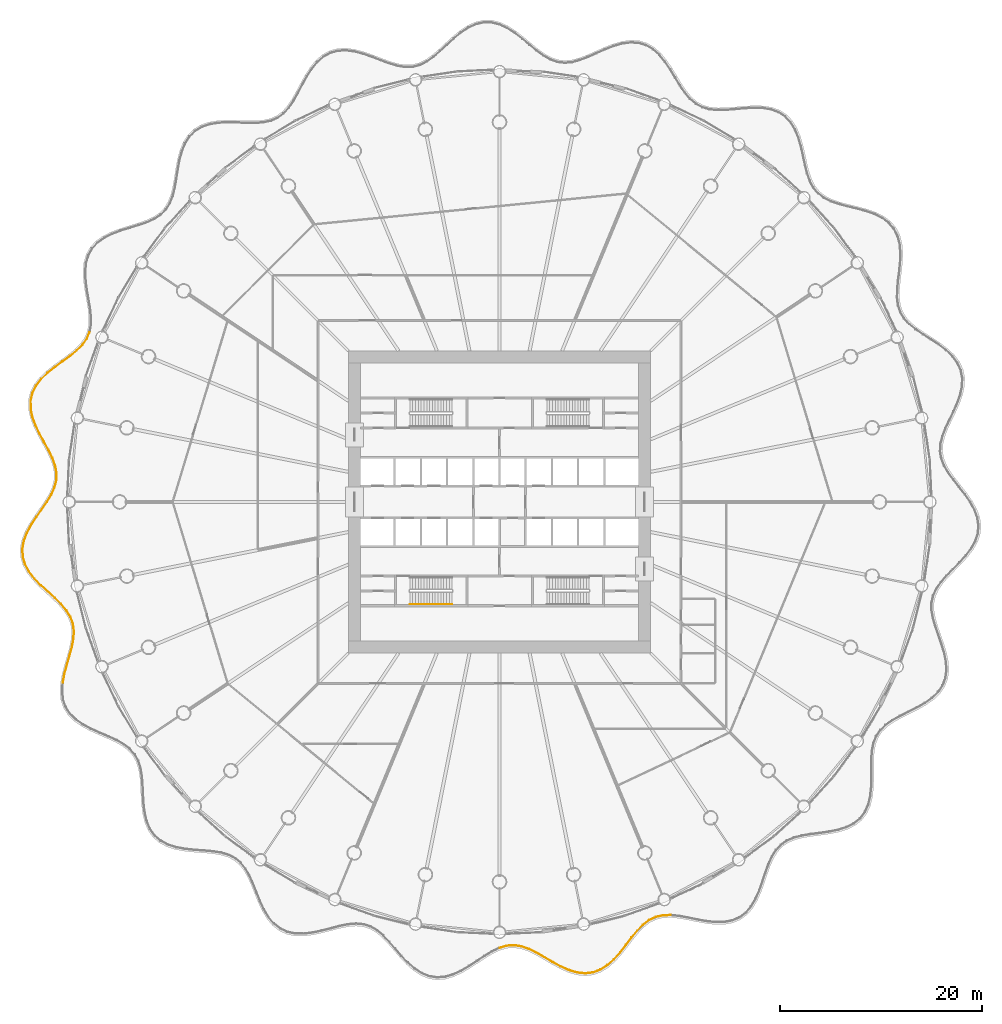
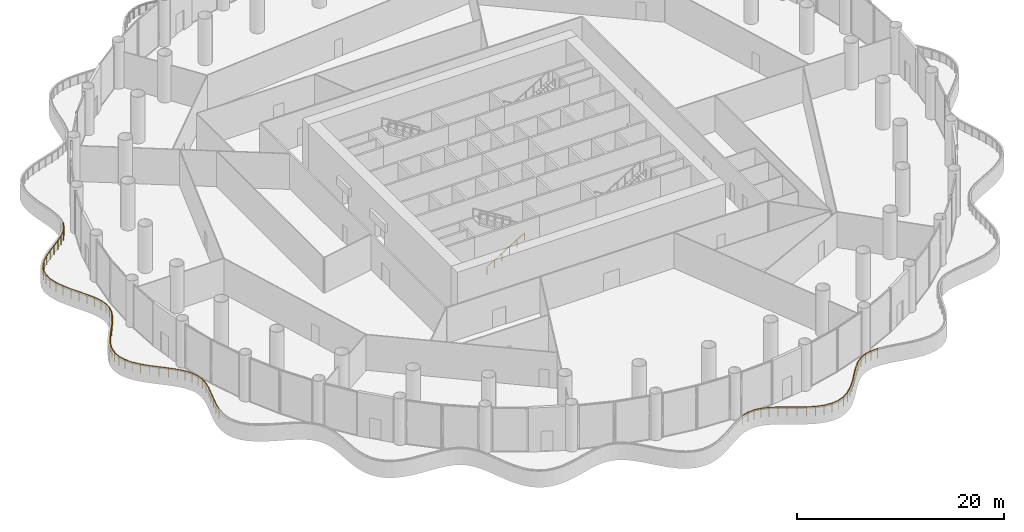
# One storey, part 31 of 37: 4 railings.
"""IFC4 building model written with IfcOpenShell, lengths in metres."""

from ifc_helpers import new_model, si_unit, direction, frame, origin, origin_2d, place, context, subcontext, project, spatial, circle, extrude, material, type_object, element, save


model = new_model("IFC4")

# Units and contexts
model_context = context("Model", 3, precision=1e-05, world=origin(), true_north=direction((0.0, 1.0)))
body_context = subcontext(model_context, "Body", "Model", "MODEL_VIEW")
ifc_project = project(units=[si_unit("LENGTHUNIT", "METRE"), si_unit("AREAUNIT", "SQUARE_METRE"), si_unit("VOLUMEUNIT", "CUBIC_METRE"), si_unit("PLANEANGLEUNIT", "RADIAN"), si_unit("MASSUNIT", "GRAM", prefix="KILO")], contexts=[model_context])

# Site, building, storey
site_placement = place(None, origin())
site = spatial("IfcSite", under=ifc_project, at=site_placement, CompositionType="ELEMENT")
building_placement = place(site_placement, origin())
building = spatial("IfcBuilding", under=site, at=building_placement, Name="Corvane Civic Tower", CompositionType="ELEMENT")
storey_placement = place(building_placement, frame((0.0, 0.0, 11.5)))
storey = spatial("IfcBuildingStorey", under=building, at=storey_placement, Name="L02", CompositionType="ELEMENT", Elevation=11.5)

# Railings
ifc_material_1 = material(Name="Steel ASTM A572 Gr 50", Category="steel")
railing_type_1 = type_object("IfcRailingType", Name="PODIUM-RL-GUARD-1100", PredefinedType="GUARDRAIL", material=ifc_material_1)
railing_1_placement = place(storey_placement, frame((-40.683837890625, 16.824951171875, 0.0)))
element("IfcRailing", 1, at=railing_1_placement, inside=storey, type_object=railing_type_1, Name="L02 ribbon guard 4", PredefinedType="GUARDRAIL", context=body_context, shape_type="SweptSolid", body=[
    extrude(circle(Radius=0.02392578125, at=origin_2d()), frame((0.0, 0.0, 1.076171875), z_axis=(-0.392648450262, -0.919688639979, 0.0), x_axis=(0.919688639979, -0.392648450262, 0.0)), (0.0, 0.0, 1.0), 0.69580078125),
    extrude(circle(Radius=0.02392578125, at=origin_2d()), frame((-0.273193359375, -0.639892578125, 1.076171875), z_axis=(-0.578662648037, -0.815567005075, 0.0), x_axis=(0.815567005075, -0.578662648037, 0.0)), (0.0, 0.0, 1.0), 0.7451171875),
    extrude(circle(Radius=0.02392578125, at=origin_2d()), frame((-0.704345703125, -1.24755859375, 1.076171875), z_axis=(-0.706648958876, -0.707564307268, 0.0), x_axis=(0.707564307268, -0.706648958876, 0.0)), (0.0, 0.0, 1.0), 0.800048828125),
    extrude(circle(Radius=0.02392578125, at=origin_2d()), frame((-1.269775390625, -1.813720703125, 1.076171875), z_axis=(-0.778100739541, -0.628139506102, 0.0), x_axis=(0.628139506102, -0.778100739541, 0.0)), (0.0, 0.0, 1.0), 0.86279296875),
    extrude(circle(Radius=0.02392578125, at=origin_2d()), frame((-1.941162109375, -2.355712890625, 1.076171875), z_axis=(-0.808620320993, -0.588330839305, 0.0), x_axis=(0.588330839305, -0.808620320993, 0.0)), (0.0, 0.0, 1.0), 0.912109375),
    extrude(circle(Radius=0.02392578125, at=origin_2d()), frame((-2.6787109375, -2.892333984375, 1.076171875), z_axis=(-0.808634355419, -0.588311549466, 0.0), x_axis=(0.588311549466, -0.808634355419, 0.0)), (0.0, 0.0, 1.0), 0.93408203125),
    extrude(circle(Radius=0.02392578125, at=origin_2d()), frame((-3.43408203125, -3.44189453125, 1.076171875), z_axis=(-0.780430885858, -0.625242059045, 0.0), x_axis=(0.625242059045, -0.780430885858, 0.0)), (0.0, 0.0, 1.0), 0.925048828125),
    extrude(circle(Radius=0.02392578125, at=origin_2d()), frame((-4.156005859375, -4.020263671875, 1.076171875), z_axis=(-0.718274525848, -0.695759804472, 0.0), x_axis=(0.695759804472, -0.718274525848, 0.0)), (0.0, 0.0, 1.0), 0.88916015625),
    extrude(circle(Radius=0.02392578125, at=origin_2d()), frame((-4.794677734375, -4.638916015625, 1.076171875), z_axis=(-0.609261138416, -0.792969649618, 0.0), x_axis=(0.792969649618, -0.609261138416, 0.0)), (0.0, 0.0, 1.0), 0.83984375),
    extrude(circle(Radius=0.02392578125, at=origin_2d()), frame((-5.306396484375, -5.304931640625, 1.076171875), z_axis=(-0.442549118131, -0.896744265686, 0.0), x_axis=(0.896744265686, -0.442549118131, 0.0)), (0.0, 0.0, 1.0), 0.796630859375),
    extrude(circle(Radius=0.02392578125, at=origin_2d()), frame((-5.658935546875, -6.019287109375, 1.076171875), z_axis=(-0.22479081448, -0.974407045195, 0.0), x_axis=(0.974407045195, -0.22479081448, 0.0)), (0.0, 0.0, 1.0), 0.77880859375),
    extrude(circle(Radius=0.02392578125, at=origin_2d()), frame((-5.833984375, -6.778076171875, 1.076171875), z_axis=(0.005835281486, -0.9999829746, 0.0), x_axis=(0.9999829746, 0.005835281486, 0.0)), (0.0, 0.0, 1.0), 0.794921875),
    extrude(circle(Radius=0.02392578125, at=origin_2d()), frame((-5.829345703125, -7.572998046875, 1.076171875), z_axis=(0.203849440794, -0.979002249991, 0.0), x_axis=(0.979002249991, 0.203849440794, 0.0)), (0.0, 0.0, 1.0), 0.837158203125),
    extrude(circle(Radius=0.02392578125, at=origin_2d()), frame((-5.65869140625, -8.392578125, 1.076171875), z_axis=(0.346292090421, -0.938126744162, 0.0), x_axis=(0.938126744162, 0.346292090421, 0.0)), (0.0, 0.0, 1.0), 0.886962890625),
    extrude(circle(Radius=0.02392578125, at=origin_2d()), frame((-5.3515625, -9.224609375, 1.076171875), z_axis=(0.435864894401, -0.900012107601, 0.0), x_axis=(0.900012107601, 0.435864894401, 0.0)), (0.0, 0.0, 1.0), 0.923583984375),
    extrude(circle(Radius=0.02392578125, at=origin_2d()), frame((-4.948974609375, -10.055908203125, 1.076171875), z_axis=(0.47910835533, -0.877755765491, 0.0), x_axis=(0.877755765491, 0.47910835533, 0.0)), (0.0, 0.0, 1.0), 0.9345703125),
    extrude(circle(Radius=0.02392578125, at=origin_2d()), frame((-4.501220703125, -10.876220703125, 1.076171875), z_axis=(0.48107769897, -0.876677961143, 0.0), x_axis=(0.876677961143, 0.48107769897, 0.0)), (0.0, 0.0, 1.0), 0.9140625),
    extrude(circle(Radius=0.02392578125, at=origin_2d()), frame((-4.0615234375, -11.677490234375, 1.076171875), z_axis=(0.439301158642, -0.898339853294, 0.0), x_axis=(0.898339853294, 0.439301158642, 0.0)), (0.0, 0.0, 1.0), 0.865966796875),
    extrude(circle(Radius=0.02392578125, at=origin_2d()), frame((-3.68115234375, -12.455322265625, 1.076171875), z_axis=(0.343888648541, -0.939010435195, 0.0), x_axis=(0.939010435195, 0.343888648541, 0.0)), (0.0, 0.0, 1.0), 0.8037109375),
    extrude(circle(Radius=0.02392578125, at=origin_2d()), frame((-3.40478515625, -13.2099609375, 1.076171875), z_axis=(0.185235244446, -0.982694206869, 0.0), x_axis=(0.982694206869, 0.185235244446, 0.0)), (0.0, 0.0, 1.0), 0.747314453125),
    extrude(circle(Radius=0.02392578125, at=origin_2d()), frame((-3.266357421875, -13.9443359375, 1.076171875), z_axis=(-0.025745445057, -0.999668531094, 0.0), x_axis=(0.999668531094, -0.025745445057, 0.0)), (0.0, 0.0, 1.0), 0.720703125),
    extrude(circle(Radius=0.02392578125, at=origin_2d()), frame((-3.284912109375, -14.664794921875, 1.076171875), z_axis=(-0.241599759092, -0.970375987134, 0.0), x_axis=(0.970375987134, -0.241599759092, 0.0)), (0.0, 0.0, 1.0), 0.736572265625),
    extrude(circle(Radius=0.02392578125, at=origin_2d()), frame((-3.462890625, -15.379638671875, 1.076171875), z_axis=(-0.410996558744, -0.911636895206, 0.0), x_axis=(0.911636895206, -0.410996558744, 0.0)), (0.0, 0.0, 1.0), 0.787109375),
    extrude(circle(Radius=0.02392578125, at=origin_2d()), frame((-3.786376953125, -16.09716796875, 1.076171875), z_axis=(-0.517147247165, -0.855896445108, 0.0), x_axis=(0.855896445108, -0.517147247165, 0.0)), (0.0, 0.0, 1.0), 0.8251953125),
    extrude(circle(Radius=0.02099609375, at=origin_2d()), origin(), (0.0, 0.0, 1.0), 1.052001953125),
    extrude(circle(Radius=0.02099609375, at=origin_2d()), frame((-0.273193359375, -0.639892578125, 0.0)), (0.0, 0.0, 1.0), 1.052001953125),
    extrude(circle(Radius=0.02099609375, at=origin_2d()), frame((-0.704345703125, -1.24755859375, 0.0)), (0.0, 0.0, 1.0), 1.052001953125),
    extrude(circle(Radius=0.02099609375, at=origin_2d()), frame((-1.269775390625, -1.813720703125, 0.0)), (0.0, 0.0, 1.0), 1.052001953125),
    extrude(circle(Radius=0.02099609375, at=origin_2d()), frame((-1.941162109375, -2.355712890625, 0.0)), (0.0, 0.0, 1.0), 1.052001953125),
    extrude(circle(Radius=0.02099609375, at=origin_2d()), frame((-2.6787109375, -2.892333984375, 0.0)), (0.0, 0.0, 1.0), 1.052001953125),
    extrude(circle(Radius=0.02099609375, at=origin_2d()), frame((-3.43408203125, -3.44189453125, 0.0)), (0.0, 0.0, 1.0), 1.052001953125),
    extrude(circle(Radius=0.02099609375, at=origin_2d()), frame((-4.156005859375, -4.020263671875, 0.0)), (0.0, 0.0, 1.0), 1.052001953125),
    extrude(circle(Radius=0.02099609375, at=origin_2d()), frame((-4.794677734375, -4.638916015625, 0.0)), (0.0, 0.0, 1.0), 1.052001953125),
    extrude(circle(Radius=0.02099609375, at=origin_2d()), frame((-5.306396484375, -5.304931640625, 0.0)), (0.0, 0.0, 1.0), 1.052001953125),
    extrude(circle(Radius=0.02099609375, at=origin_2d()), frame((-5.658935546875, -6.019287109375, 0.0)), (0.0, 0.0, 1.0), 1.052001953125),
    extrude(circle(Radius=0.02099609375, at=origin_2d()), frame((-5.833984375, -6.778076171875, 0.0)), (0.0, 0.0, 1.0), 1.052001953125),
    extrude(circle(Radius=0.02099609375, at=origin_2d()), frame((-5.829345703125, -7.572998046875, 0.0)), (0.0, 0.0, 1.0), 1.052001953125),
    extrude(circle(Radius=0.02099609375, at=origin_2d()), frame((-5.65869140625, -8.392578125, 0.0)), (0.0, 0.0, 1.0), 1.052001953125),
    extrude(circle(Radius=0.02099609375, at=origin_2d()), frame((-5.3515625, -9.224609375, 0.0)), (0.0, 0.0, 1.0), 1.052001953125),
    extrude(circle(Radius=0.02099609375, at=origin_2d()), frame((-4.948974609375, -10.055908203125, 0.0)), (0.0, 0.0, 1.0), 1.052001953125),
    extrude(circle(Radius=0.02099609375, at=origin_2d()), frame((-4.501220703125, -10.876220703125, 0.0)), (0.0, 0.0, 1.0), 1.052001953125),
    extrude(circle(Radius=0.02099609375, at=origin_2d()), frame((-4.0615234375, -11.677490234375, 0.0)), (0.0, 0.0, 1.0), 1.052001953125),
    extrude(circle(Radius=0.02099609375, at=origin_2d()), frame((-3.68115234375, -12.455322265625, 0.0)), (0.0, 0.0, 1.0), 1.052001953125),
    extrude(circle(Radius=0.02099609375, at=origin_2d()), frame((-3.40478515625, -13.2099609375, 0.0)), (0.0, 0.0, 1.0), 1.052001953125),
    extrude(circle(Radius=0.02099609375, at=origin_2d()), frame((-3.266357421875, -13.9443359375, 0.0)), (0.0, 0.0, 1.0), 1.052001953125),
    extrude(circle(Radius=0.02099609375, at=origin_2d()), frame((-3.284912109375, -14.664794921875, 0.0)), (0.0, 0.0, 1.0), 1.052001953125),
    extrude(circle(Radius=0.02099609375, at=origin_2d()), frame((-3.462890625, -15.379638671875, 0.0)), (0.0, 0.0, 1.0), 1.052001953125),
    extrude(circle(Radius=0.02099609375, at=origin_2d()), frame((-3.786376953125, -16.09716796875, 0.0)), (0.0, 0.0, 1.0), 1.052001953125),
    extrude(circle(Radius=0.02099609375, at=origin_2d()), frame((-4.213134765625, -16.803466796875, 0.0)), (0.0, 0.0, 1.0), 1.052001953125),
])
railing_2_placement = place(storey_placement, frame((-44.924072265625, -0.0205078125, 0.0)))
element("IfcRailing", 2, at=railing_2_placement, inside=storey, type_object=railing_type_1, Name="L02 ribbon guard 5", PredefinedType="GUARDRAIL", context=body_context, shape_type="SweptSolid", body=[
    extrude(circle(Radius=0.02392578125, at=origin_2d()), frame((0.0, 0.0, 1.076171875), z_axis=(-0.568660915, -0.822572041678, 0.0), x_axis=(0.822572041678, -0.568660915, 0.0)), (0.0, 0.0, 1.0), 0.87890625),
    extrude(circle(Radius=0.02392578125, at=origin_2d()), frame((-0.499755859375, -0.722900390625, 1.076171875), z_axis=(-0.57721775227, -0.816590268411, 0.0), x_axis=(0.816590268411, -0.57721775227, 0.0)), (0.0, 0.0, 1.0), 0.93212890625),
    extrude(circle(Radius=0.02392578125, at=origin_2d()), frame((-1.037841796875, -1.484130859375, 1.076171875), z_axis=(-0.546612268457, -0.837385829813, 0.0), x_axis=(0.837385829813, -0.546612268457, 0.0)), (0.0, 0.0, 1.0), 0.929443359375),
    extrude(circle(Radius=0.02392578125, at=origin_2d()), frame((-1.5458984375, -2.262451171875, 1.076171875), z_axis=(-0.47450492985, -0.880252845237, 0.0), x_axis=(0.880252845237, -0.47450492985, 0.0)), (0.0, 0.0, 1.0), 0.8984375),
    extrude(circle(Radius=0.02392578125, at=origin_2d()), frame((-1.97216796875, -3.05322265625, 1.076171875), z_axis=(-0.351909725768, -0.936033944315, 0.0), x_axis=(0.936033944315, -0.351909725768, 0.0)), (0.0, 0.0, 1.0), 0.8505859375),
    extrude(circle(Radius=0.02392578125, at=origin_2d()), frame((-2.271484375, -3.849365234375, 1.076171875), z_axis=(-0.17217408361, -0.985066538328, 0.0), x_axis=(0.985066538328, -0.17217408361, 0.0)), (0.0, 0.0, 1.0), 0.803955078125),
    extrude(circle(Radius=0.02392578125, at=origin_2d()), frame((-2.409912109375, -4.641357421875, 1.076171875), z_axis=(0.053857123903, -0.998548651897, 0.0), x_axis=(0.998548651897, 0.053857123903, 0.0)), (0.0, 0.0, 1.0), 0.77978515625),
    extrude(circle(Radius=0.02392578125, at=origin_2d()), frame((-2.367919921875, -5.419921875, 1.076171875), z_axis=(0.285331434771, -0.958428908335, 0.0), x_axis=(0.958428908335, 0.285331434771, 0.0)), (0.0, 0.0, 1.0), 0.788818359375),
    extrude(circle(Radius=0.02392578125, at=origin_2d()), frame((-2.142822265625, -6.176025390625, 1.076171875), z_axis=(0.477652034744, -0.878549107168, 0.0), x_axis=(0.878549107168, 0.477652034744, 0.0)), (0.0, 0.0, 1.0), 0.826904296875),
    extrude(circle(Radius=0.02392578125, at=origin_2d()), frame((-1.747802734375, -6.902587890625, 1.076171875), z_axis=(0.611122571136, -0.791535977103, 0.0), x_axis=(0.791535977103, 0.611122571136, 0.0)), (0.0, 0.0, 1.0), 0.876953125),
    extrude(circle(Radius=0.02392578125, at=origin_2d()), frame((-1.2119140625, -7.5966796875, 1.076171875), z_axis=(0.69273115496, -0.7211959144, 0.0), x_axis=(0.7211959144, 0.69273115496, 0.0)), (0.0, 0.0, 1.0), 0.917724609375),
    extrude(circle(Radius=0.02392578125, at=origin_2d()), frame((-0.576171875, -8.258544921875, 1.076171875), z_axis=(0.733871572255, -0.679288241792, 0.0), x_axis=(0.679288241792, 0.733871572255, 0.0)), (0.0, 0.0, 1.0), 0.934814453125),
    extrude(circle(Radius=0.02392578125, at=origin_2d()), frame((0.10986328125, -8.8935546875, 1.076171875), z_axis=(0.742119659929, -0.670267417042, 0.0), x_axis=(0.670267417042, 0.742119659929, 0.0)), (0.0, 0.0, 1.0), 0.9208984375),
    extrude(circle(Radius=0.02392578125, at=origin_2d()), frame((0.793212890625, -9.5107421875, 1.076171875), z_axis=(0.717184070385, -0.696883784562, 0.0), x_axis=(0.696883784562, 0.717184070385, 0.0)), (0.0, 0.0, 1.0), 0.8779296875),
    extrude(circle(Radius=0.02392578125, at=origin_2d()), frame((1.4228515625, -10.12255859375, 1.076171875), z_axis=(0.650619072476, -0.759404255012, 0.0), x_axis=(0.759404255012, 0.650619072476, 0.0)), (0.0, 0.0, 1.0), 0.81689453125),
    extrude(circle(Radius=0.02392578125, at=origin_2d()), frame((1.954345703125, -10.742919921875, 1.076171875), z_axis=(0.528317378365, -0.849046964377, 0.0), x_axis=(0.849046964377, 0.528317378365, 0.0)), (0.0, 0.0, 1.0), 0.75732421875),
    extrude(circle(Radius=0.02392578125, at=origin_2d()), frame((2.3544921875, -11.385986328125, 1.076171875), z_axis=(0.344750673314, -0.938694291689, 0.0), x_axis=(0.938694291689, 0.344750673314, 0.0)), (0.0, 0.0, 1.0), 0.72314453125),
    extrude(circle(Radius=0.02392578125, at=origin_2d()), frame((2.603759765625, -12.064697265625, 1.076171875), z_axis=(0.130125684943, -0.991497506864, 0.0), x_axis=(0.991497506864, 0.130125684943, 0.0)), (0.0, 0.0, 1.0), 0.729736328125),
    extrude(circle(Radius=0.02392578125, at=origin_2d()), frame((2.69873046875, -12.788330078125, 1.076171875), z_axis=(-0.059886009549, -0.998205222317, 0.0), x_axis=(0.998205222317, -0.059886009549, 0.0)), (0.0, 0.0, 1.0), 0.774658203125),
    extrude(circle(Radius=0.02392578125, at=origin_2d()), frame((2.65234375, -13.5615234375, 1.076171875), z_axis=(-0.191291109817, -0.981533347016, 0.0), x_axis=(0.981533347016, -0.191291109817, 0.0)), (0.0, 0.0, 1.0), 0.837158203125),
    extrude(circle(Radius=0.02392578125, at=origin_2d()), frame((2.4921875, -14.38330078125, 1.076171875), z_axis=(-0.262724536639, -0.964870881439, 0.0), x_axis=(0.964870881439, -0.262724536639, 0.0)), (0.0, 0.0, 1.0), 0.89404296875),
    extrude(circle(Radius=0.02392578125, at=origin_2d()), frame((2.25732421875, -15.245849609375, 1.076171875), z_axis=(-0.282351351328, -0.959311062379, 0.0), x_axis=(0.959311062379, -0.282351351328, 0.0)), (0.0, 0.0, 1.0), 0.9287109375),
    extrude(circle(Radius=0.02392578125, at=origin_2d()), frame((1.9951171875, -16.13671875, 1.076171875), z_axis=(-0.256245058711, -0.966611850686, 0.0), x_axis=(0.966611850686, -0.256245058711, 0.0)), (0.0, 0.0, 1.0), 0.932861328125),
    extrude(circle(Radius=0.02392578125, at=origin_2d()), frame((1.756103515625, -17.038330078125, 1.076171875), z_axis=(-0.184439018576, -0.982843959348, 0.0), x_axis=(0.982843959348, -0.184439018576, 0.0)), (0.0, 0.0, 1.0), 0.881591796875),
    extrude(circle(Radius=0.02099609375, at=origin_2d()), origin(), (0.0, 0.0, 1.0), 1.052001953125),
    extrude(circle(Radius=0.02099609375, at=origin_2d()), frame((-0.499755859375, -0.722900390625, 0.0)), (0.0, 0.0, 1.0), 1.052001953125),
    extrude(circle(Radius=0.02099609375, at=origin_2d()), frame((-1.037841796875, -1.484130859375, 0.0)), (0.0, 0.0, 1.0), 1.052001953125),
    extrude(circle(Radius=0.02099609375, at=origin_2d()), frame((-1.5458984375, -2.262451171875, 0.0)), (0.0, 0.0, 1.0), 1.052001953125),
    extrude(circle(Radius=0.02099609375, at=origin_2d()), frame((-1.97216796875, -3.05322265625, 0.0)), (0.0, 0.0, 1.0), 1.052001953125),
    extrude(circle(Radius=0.02099609375, at=origin_2d()), frame((-2.271484375, -3.849365234375, 0.0)), (0.0, 0.0, 1.0), 1.052001953125),
    extrude(circle(Radius=0.02099609375, at=origin_2d()), frame((-2.409912109375, -4.641357421875, 0.0)), (0.0, 0.0, 1.0), 1.052001953125),
    extrude(circle(Radius=0.02099609375, at=origin_2d()), frame((-2.367919921875, -5.419921875, 0.0)), (0.0, 0.0, 1.0), 1.052001953125),
    extrude(circle(Radius=0.02099609375, at=origin_2d()), frame((-2.142822265625, -6.176025390625, 0.0)), (0.0, 0.0, 1.0), 1.052001953125),
    extrude(circle(Radius=0.02099609375, at=origin_2d()), frame((-1.747802734375, -6.902587890625, 0.0)), (0.0, 0.0, 1.0), 1.052001953125),
    extrude(circle(Radius=0.02099609375, at=origin_2d()), frame((-1.2119140625, -7.5966796875, 0.0)), (0.0, 0.0, 1.0), 1.052001953125),
    extrude(circle(Radius=0.02099609375, at=origin_2d()), frame((-0.576171875, -8.258544921875, 0.0)), (0.0, 0.0, 1.0), 1.052001953125),
    extrude(circle(Radius=0.02099609375, at=origin_2d()), frame((0.10986328125, -8.8935546875, 0.0)), (0.0, 0.0, 1.0), 1.052001953125),
    extrude(circle(Radius=0.02099609375, at=origin_2d()), frame((0.793212890625, -9.5107421875, 0.0)), (0.0, 0.0, 1.0), 1.052001953125),
    extrude(circle(Radius=0.02099609375, at=origin_2d()), frame((1.4228515625, -10.12255859375, 0.0)), (0.0, 0.0, 1.0), 1.052001953125),
    extrude(circle(Radius=0.02099609375, at=origin_2d()), frame((1.954345703125, -10.742919921875, 0.0)), (0.0, 0.0, 1.0), 1.052001953125),
    extrude(circle(Radius=0.02099609375, at=origin_2d()), frame((2.3544921875, -11.385986328125, 0.0)), (0.0, 0.0, 1.0), 1.052001953125),
    extrude(circle(Radius=0.02099609375, at=origin_2d()), frame((2.603759765625, -12.064697265625, 0.0)), (0.0, 0.0, 1.0), 1.052001953125),
    extrude(circle(Radius=0.02099609375, at=origin_2d()), frame((2.69873046875, -12.788330078125, 0.0)), (0.0, 0.0, 1.0), 1.052001953125),
    extrude(circle(Radius=0.02099609375, at=origin_2d()), frame((2.65234375, -13.5615234375, 0.0)), (0.0, 0.0, 1.0), 1.052001953125),
    extrude(circle(Radius=0.02099609375, at=origin_2d()), frame((2.4921875, -14.38330078125, 0.0)), (0.0, 0.0, 1.0), 1.052001953125),
    extrude(circle(Radius=0.02099609375, at=origin_2d()), frame((2.25732421875, -15.245849609375, 0.0)), (0.0, 0.0, 1.0), 1.052001953125),
    extrude(circle(Radius=0.02099609375, at=origin_2d()), frame((1.9951171875, -16.13671875, 0.0)), (0.0, 0.0, 1.0), 1.052001953125),
    extrude(circle(Radius=0.02099609375, at=origin_2d()), frame((1.756103515625, -17.038330078125, 0.0)), (0.0, 0.0, 1.0), 1.052001953125),
    extrude(circle(Radius=0.02099609375, at=origin_2d()), frame((1.593505859375, -17.90478515625, 0.0)), (0.0, 0.0, 1.0), 1.052001953125),
])
railing_3_placement = place(storey_placement, frame((0.02392578125, -44.244384765625, 0.0)))
element("IfcRailing", 3, at=railing_3_placement, inside=storey, type_object=railing_type_1, Name="L02 ribbon guard 9", PredefinedType="GUARDRAIL", context=body_context, shape_type="SweptSolid", body=[
    extrude(circle(Radius=0.02392578125, at=origin_2d()), frame((0.0, 0.0, 1.076171875), z_axis=(0.961294828304, 0.275521783305, 0.0), x_axis=(-0.275521783305, 0.961294828304, 0.0)), (0.0, 0.0, 1.0), 0.724853515625),
    extrude(circle(Radius=0.02392578125, at=origin_2d()), frame((0.69677734375, 0.19970703125, 1.076171875), z_axis=(0.997635933822, 0.068720765038, 0.0), x_axis=(-0.068720765038, 0.997635933822, 0.0)), (0.0, 0.0, 1.0), 0.72119140625),
    extrude(circle(Radius=0.02392578125, at=origin_2d()), frame((1.416259765625, 0.249267578125, 1.076171875), z_axis=(0.988711030335, -0.149834904127, 0.0), x_axis=(0.149834904127, 0.988711030335, 0.0)), (0.0, 0.0, 1.0), 0.73486328125),
    extrude(circle(Radius=0.02392578125, at=origin_2d()), frame((2.142822265625, 0.13916015625, 1.076171875), z_axis=(0.945041590136, -0.326950138268, 0.0), x_axis=(0.326950138268, 0.945041590136, 0.0)), (0.0, 0.0, 1.0), 0.783935546875),
    extrude(circle(Radius=0.02392578125, at=origin_2d()), frame((2.8837890625, -0.1171875, 1.076171875), z_axis=(0.897860384809, -0.440280285036, 0.0), x_axis=(0.440280285036, 0.897860384809, 0.0)), (0.0, 0.0, 1.0), 0.8466796875),
    extrude(circle(Radius=0.02392578125, at=origin_2d()), frame((3.64404296875, -0.489990234375, 1.076171875), z_axis=(0.867642581652, -0.497188445666, 0.0), x_axis=(0.497188445666, 0.867642581652, 0.0)), (0.0, 0.0, 1.0), 0.901611328125),
    extrude(circle(Radius=0.02392578125, at=origin_2d()), frame((4.42626953125, -0.938232421875, 1.076171875), z_axis=(0.861171719591, -0.50831414438, 0.0), x_axis=(0.50831414438, 0.861171719591, 0.0)), (0.0, 0.0, 1.0), 0.931396484375),
    extrude(circle(Radius=0.02392578125, at=origin_2d()), frame((5.228271484375, -1.41162109375, 1.076171875), z_axis=(0.878186201729, -0.478318926128, 0.0), x_axis=(0.478318926128, 0.878186201729, 0.0)), (0.0, 0.0, 1.0), 0.930419921875),
    extrude(circle(Radius=0.02392578125, at=origin_2d()), frame((6.04541015625, -1.856689453125, 1.076171875), z_axis=(0.914180103654, -0.405308201353, 0.0), x_axis=(0.405308201353, 0.914180103654, 0.0)), (0.0, 0.0, 1.0), 0.900634765625),
    extrude(circle(Radius=0.02392578125, at=origin_2d()), frame((6.86865234375, -2.2216796875, 1.076171875), z_axis=(0.959533934686, -0.281593018709, 0.0), x_axis=(0.281593018709, 0.959533934686, 0.0)), (0.0, 0.0, 1.0), 0.85302734375),
    extrude(circle(Radius=0.02392578125, at=origin_2d()), frame((7.687255859375, -2.4619140625, 1.076171875), z_axis=(0.994874001102, -0.101122311737, 0.0), x_axis=(0.101122311737, 0.994874001102, 0.0)), (0.0, 0.0, 1.0), 0.806396484375),
    extrude(circle(Radius=0.02392578125, at=origin_2d()), frame((8.489501953125, -2.54345703125, 1.076171875), z_axis=(0.992330745237, 0.12361105152, 0.0), x_axis=(-0.12361105152, 0.992330745237, 0.0)), (0.0, 0.0, 1.0), 0.7802734375),
    extrude(circle(Radius=0.02392578125, at=origin_2d()), frame((9.263671875, -2.447021484375, 1.076171875), z_axis=(0.93579289965, 0.352550207721, 0.0), x_axis=(-0.352550207721, 0.93579289965, 0.0)), (0.0, 0.0, 1.0), 0.787353515625),
    extrude(circle(Radius=0.02392578125, at=origin_2d()), frame((10.00048828125, -2.16943359375, 1.076171875), z_axis=(0.841447725279, 0.540338528724, 0.0), x_axis=(-0.540338528724, 0.841447725279, 0.0)), (0.0, 0.0, 1.0), 0.82470703125),
    extrude(circle(Radius=0.02392578125, at=origin_2d()), frame((10.6943359375, -1.723876953125, 1.076171875), z_axis=(0.743141376178, 0.669134437175, 0.0), x_axis=(-0.669134437175, 0.743141376178, 0.0)), (0.0, 0.0, 1.0), 0.874267578125),
    extrude(circle(Radius=0.02392578125, at=origin_2d()), frame((11.343994140625, -1.138916015625, 1.076171875), z_axis=(0.664876433577, 0.746953364055, 0.0), x_axis=(-0.746953364055, 0.664876433577, 0.0)), (0.0, 0.0, 1.0), 0.916259765625),
    extrude(circle(Radius=0.02392578125, at=origin_2d()), frame((11.953125, -0.45458984375, 1.076171875), z_axis=(0.617983033731, 0.786191433444, 0.0), x_axis=(-0.786191433444, 0.617983033731, 0.0)), (0.0, 0.0, 1.0), 0.934814453125),
    extrude(circle(Radius=0.02392578125, at=origin_2d()), frame((12.53076171875, 0.2802734375, 1.076171875), z_axis=(0.606250579287, 0.795273685667, 0.0), x_axis=(-0.795273685667, 0.606250579287, 0.0)), (0.0, 0.0, 1.0), 0.922119140625),
    extrude(circle(Radius=0.02392578125, at=origin_2d()), frame((13.08984375, 1.013671875, 1.076171875), z_axis=(0.632739607514, 0.774364635739, 0.0), x_axis=(-0.774364635739, 0.632739607514, 0.0)), (0.0, 0.0, 1.0), 0.880859375),
    extrude(circle(Radius=0.02392578125, at=origin_2d()), frame((13.647216796875, 1.69580078125, 1.076171875), z_axis=(0.698573011535, 0.715538781308, 0.0), x_axis=(-0.715538781308, 0.698573011535, 0.0)), (0.0, 0.0, 1.0), 0.8203125),
    extrude(circle(Radius=0.02392578125, at=origin_2d()), frame((14.22021484375, 2.28271484375, 1.076171875), z_axis=(0.796867223866, 0.604154473233, 0.0), x_axis=(-0.604154473233, 0.796867223866, 0.0)), (0.0, 0.0, 1.0), 0.760009765625),
    extrude(circle(Radius=0.02392578125, at=origin_2d()), frame((14.825927734375, 2.741943359375, 1.076171875), z_axis=(0.902179876874, 0.431360023373, 0.0), x_axis=(-0.431360023373, 0.902179876874, 0.0)), (0.0, 0.0, 1.0), 0.723876953125),
    extrude(circle(Radius=0.02392578125, at=origin_2d()), frame((15.47900390625, 3.05419921875, 1.076171875), z_axis=(0.974852266638, 0.222852099455, 0.0), x_axis=(-0.222852099455, 0.974852266638, 0.0)), (0.0, 0.0, 1.0), 0.728515625),
    extrude(circle(Radius=0.02392578125, at=origin_2d()), frame((16.189208984375, 3.216552734375, 1.076171875), z_axis=(0.999506634758, 0.031408391796, 0.0), x_axis=(-0.031408391796, 0.999506634758, 0.0)), (0.0, 0.0, 1.0), 0.746337890625),
    extrude(circle(Radius=0.02099609375, at=origin_2d()), origin(), (0.0, 0.0, 1.0), 1.052001953125),
    extrude(circle(Radius=0.02099609375, at=origin_2d()), frame((0.69677734375, 0.19970703125, 0.0)), (0.0, 0.0, 1.0), 1.052001953125),
    extrude(circle(Radius=0.02099609375, at=origin_2d()), frame((1.416259765625, 0.249267578125, 0.0)), (0.0, 0.0, 1.0), 1.052001953125),
    extrude(circle(Radius=0.02099609375, at=origin_2d()), frame((2.142822265625, 0.13916015625, 0.0)), (0.0, 0.0, 1.0), 1.052001953125),
    extrude(circle(Radius=0.02099609375, at=origin_2d()), frame((2.8837890625, -0.1171875, 0.0)), (0.0, 0.0, 1.0), 1.052001953125),
    extrude(circle(Radius=0.02099609375, at=origin_2d()), frame((3.64404296875, -0.489990234375, 0.0)), (0.0, 0.0, 1.0), 1.052001953125),
    extrude(circle(Radius=0.02099609375, at=origin_2d()), frame((4.42626953125, -0.938232421875, 0.0)), (0.0, 0.0, 1.0), 1.052001953125),
    extrude(circle(Radius=0.02099609375, at=origin_2d()), frame((5.228271484375, -1.41162109375, 0.0)), (0.0, 0.0, 1.0), 1.052001953125),
    extrude(circle(Radius=0.02099609375, at=origin_2d()), frame((6.04541015625, -1.856689453125, 0.0)), (0.0, 0.0, 1.0), 1.052001953125),
    extrude(circle(Radius=0.02099609375, at=origin_2d()), frame((6.86865234375, -2.2216796875, 0.0)), (0.0, 0.0, 1.0), 1.052001953125),
    extrude(circle(Radius=0.02099609375, at=origin_2d()), frame((7.687255859375, -2.4619140625, 0.0)), (0.0, 0.0, 1.0), 1.052001953125),
    extrude(circle(Radius=0.02099609375, at=origin_2d()), frame((8.489501953125, -2.54345703125, 0.0)), (0.0, 0.0, 1.0), 1.052001953125),
    extrude(circle(Radius=0.02099609375, at=origin_2d()), frame((9.263671875, -2.447021484375, 0.0)), (0.0, 0.0, 1.0), 1.052001953125),
    extrude(circle(Radius=0.02099609375, at=origin_2d()), frame((10.00048828125, -2.16943359375, 0.0)), (0.0, 0.0, 1.0), 1.052001953125),
    extrude(circle(Radius=0.02099609375, at=origin_2d()), frame((10.6943359375, -1.723876953125, 0.0)), (0.0, 0.0, 1.0), 1.052001953125),
    extrude(circle(Radius=0.02099609375, at=origin_2d()), frame((11.343994140625, -1.138916015625, 0.0)), (0.0, 0.0, 1.0), 1.052001953125),
    extrude(circle(Radius=0.02099609375, at=origin_2d()), frame((11.953125, -0.45458984375, 0.0)), (0.0, 0.0, 1.0), 1.052001953125),
    extrude(circle(Radius=0.02099609375, at=origin_2d()), frame((12.53076171875, 0.2802734375, 0.0)), (0.0, 0.0, 1.0), 1.052001953125),
    extrude(circle(Radius=0.02099609375, at=origin_2d()), frame((13.08984375, 1.013671875, 0.0)), (0.0, 0.0, 1.0), 1.052001953125),
    extrude(circle(Radius=0.02099609375, at=origin_2d()), frame((13.647216796875, 1.69580078125, 0.0)), (0.0, 0.0, 1.0), 1.052001953125),
    extrude(circle(Radius=0.02099609375, at=origin_2d()), frame((14.22021484375, 2.28271484375, 0.0)), (0.0, 0.0, 1.0), 1.052001953125),
    extrude(circle(Radius=0.02099609375, at=origin_2d()), frame((14.825927734375, 2.741943359375, 0.0)), (0.0, 0.0, 1.0), 1.052001953125),
    extrude(circle(Radius=0.02099609375, at=origin_2d()), frame((15.47900390625, 3.05419921875, 0.0)), (0.0, 0.0, 1.0), 1.052001953125),
    extrude(circle(Radius=0.02099609375, at=origin_2d()), frame((16.189208984375, 3.216552734375, 0.0)), (0.0, 0.0, 1.0), 1.052001953125),
    extrude(circle(Radius=0.02099609375, at=origin_2d()), frame((16.93505859375, 3.239990234375, 0.0)), (0.0, 0.0, 1.0), 1.052001953125),
])
ifc_material_2 = material(Name="Steel ASTM A572 Gr 50", Category="steel")
railing_type_2 = type_object("IfcRailingType", Name="ST-HANDRAIL-900", PredefinedType="HANDRAIL", material=ifc_material_2)
railing_4_placement = place(storey_placement, frame((-8.89990234375, -10.14990234375, 0.171875)))
element("IfcRailing", 4, at=railing_4_placement, inside=storey, type_object=railing_type_2, Name="L02 ST3 stair handrail 1", PredefinedType="HANDRAIL", context=body_context, shape_type="SweptSolid", body=[
    extrude(circle(Radius=0.02392578125, at=origin_2d()), frame((0.0, 0.0, 0.8759765625), z_axis=(0.852242915053, 0.0, 0.523146264196), x_axis=(0.0, 1.0, 0.0)), (0.0, 0.0, 1.0), 4.92822265625),
    extrude(circle(Radius=0.02099609375, at=origin_2d()), origin(), (0.0, 0.0, 1.0), 0.851806640625),
    extrude(circle(Radius=0.02099609375, at=origin_2d()), frame((0.840087890625, 0.0, 0.515625)), (0.0, 0.0, 1.0), 0.851806640625),
    extrude(circle(Radius=0.02099609375, at=origin_2d()), frame((1.679931640625, 0.0, 1.03125)), (0.0, 0.0, 1.0), 0.851806640625),
    extrude(circle(Radius=0.02099609375, at=origin_2d()), frame((2.52001953125, 0.0, 1.546875)), (0.0, 0.0, 1.0), 0.851806640625),
    extrude(circle(Radius=0.02099609375, at=origin_2d()), frame((3.35986328125, 0.0, 2.0625)), (0.0, 0.0, 1.0), 0.851806640625),
    extrude(circle(Radius=0.02099609375, at=origin_2d()), frame((4.199951171875, 0.0, 2.578125)), (0.0, 0.0, 1.0), 0.851806640625),
])

save(model, "model.ifc")
